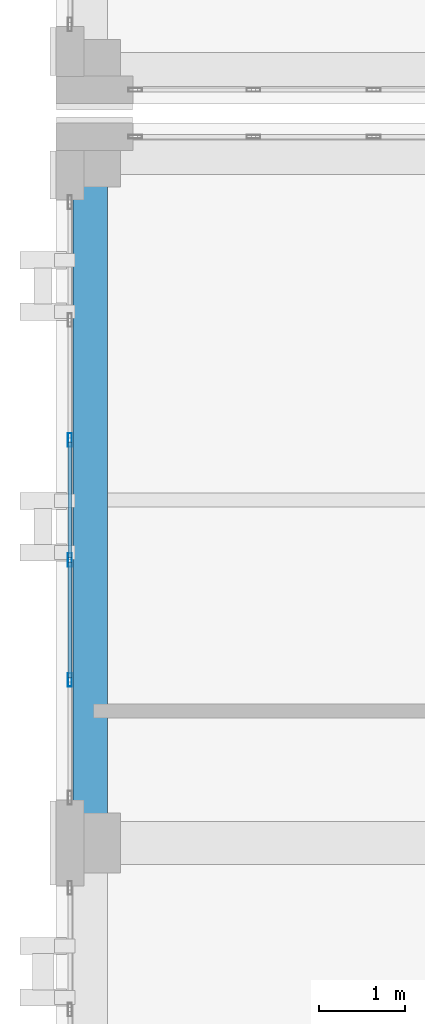
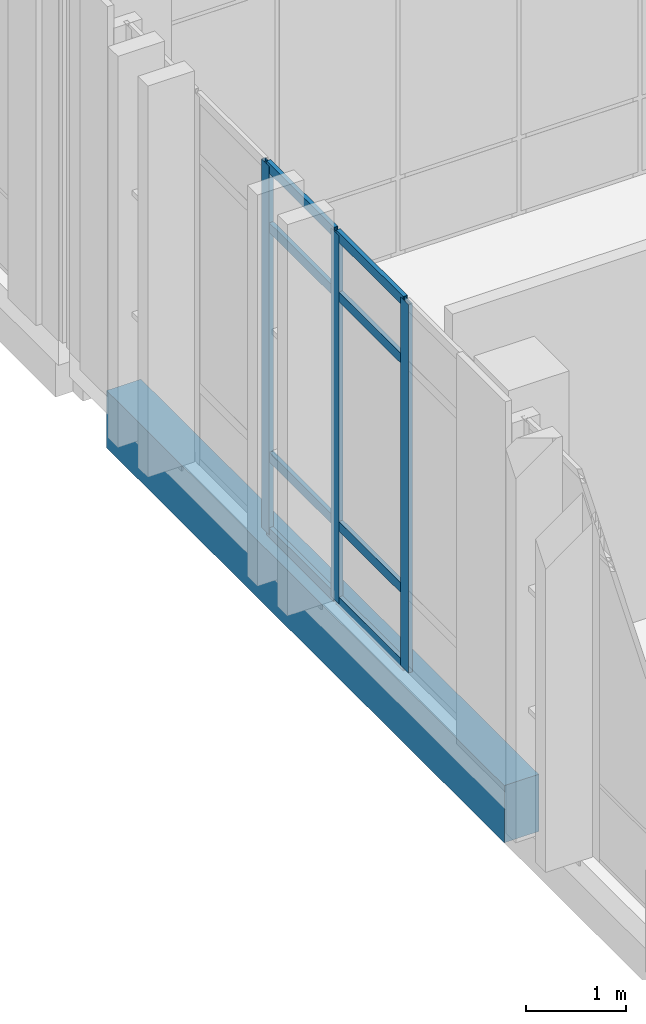
# One storey, part 77 of 189: 11 members, 1 beam, 1 element without a shape of its own.
"""IFC4 building model written with IfcOpenShell, lengths in metres."""

from ifc_helpers import new_model, si_unit, direction, frame, origin, origin_2d, place, context, subcontext, project, spatial, rectangle, hollow_rectangle, extrude, material, layer, layer_set, material_profile, profile_set, type_object, element, aggregate, save


model = new_model("IFC4")

# Units and contexts
model_context = context("Model", 3, precision=1e-05, world=origin(), true_north=direction((0.0, 1.0)))
body_context = subcontext(model_context, "Body", "Model", "MODEL_VIEW")
ifc_project = project(units=[si_unit("LENGTHUNIT", "METRE"), si_unit("AREAUNIT", "SQUARE_METRE"), si_unit("VOLUMEUNIT", "CUBIC_METRE"), si_unit("PLANEANGLEUNIT", "RADIAN"), si_unit("MASSUNIT", "GRAM", prefix="KILO")], contexts=[model_context])

# Site, building, storey
site_placement = place(None, origin())
site = spatial("IfcSite", under=ifc_project, at=site_placement, CompositionType="ELEMENT")
building_placement = place(site_placement, origin())
building = spatial("IfcBuilding", under=site, at=building_placement, Name="Qalavern Law Courts", CompositionType="ELEMENT")
storey_placement = place(building_placement, frame((0.0, 0.0, 5.39990234375)))
storey = spatial("IfcBuildingStorey", under=building, at=storey_placement, Name="L01", CompositionType="ELEMENT", Elevation=5.39990234375)

# Curtain wall, members
ifc_material_1 = material(Name="Anodised aluminium and insulated glazing", Category="aluminium")
ifc_layer = layer(ifc_material_1, 0.172119140625)
ifc_layer_set = layer_set([ifc_layer], Name="Anodised aluminium and insulated glazing")
curtain_wall_type = type_object("IfcCurtainWallType", Name="ENV-CW-COURT", PredefinedType="USERDEFINED", material=ifc_layer_set)
curtain_wall_placement = place(storey_placement, origin())
curtain_wall = element("IfcCurtainWall", 1, at=curtain_wall_placement, inside=storey, type_object=curtain_wall_type, Name="V3 unitised curtain wall L01 west 1", ObjectType="UNITISED CURTAIN WALL", PredefinedType="USERDEFINED")
ifc_material_2 = material(Name="Anodised aluminium", Category="aluminium")
ifc_material_profile_1 = material_profile(ifc_material_2, hollow_rectangle(XDim=0.048095703125, YDim=0.159912109375, WallThickness=0.00390625, at=origin_2d()), Name="ALU MULLION 48x160")
ifc_profile_set_1 = profile_set([ifc_material_profile_1], Name="Anodised aluminium")
member_type_1 = type_object("IfcMemberType", Name="ENV-CWM-48x160", PredefinedType="MULLION", material=ifc_profile_set_1)
member_1_placement = place(storey_placement, frame((2.16259765625, 92.2880859375, 0.0), z_axis=(0.0, 0.0, 1.0), x_axis=(1.0, 0.0, 0.0)))
member_1 = element("IfcMember", 2, at=member_1_placement, type_object=member_type_1, Name="CW-03 mullion 3", PredefinedType="MULLION", context=body_context, shape_type="SweptSolid", body=[
    extrude(hollow_rectangle(XDim=0.048095703125, YDim=0.159912109375, WallThickness=0.00390625, at=origin_2d()), origin(), (0.0, 0.0, 1.0), 4.510009765625),
])
member_2_placement = place(storey_placement, frame((2.16259765625, 90.89208984375, 0.0), z_axis=(0.0, 0.0, 1.0), x_axis=(1.0, 0.0, 0.0)))
member_2 = element("IfcMember", 3, at=member_2_placement, type_object=member_type_1, Name="CW-03 mullion 4", PredefinedType="MULLION", context=body_context, shape_type="SweptSolid", body=[
    extrude(hollow_rectangle(XDim=0.048095703125, YDim=0.159912109375, WallThickness=0.00390625, at=origin_2d()), origin(), (0.0, 0.0, 1.0), 4.510009765625),
])
member_3_placement = place(storey_placement, frame((2.16259765625, 89.49609375, 0.0), z_axis=(0.0, 0.0, 1.0), x_axis=(1.0, 0.0, 0.0)))
member_3 = element("IfcMember", 4, at=member_3_placement, type_object=member_type_1, Name="CW-03 mullion 5", PredefinedType="MULLION", context=body_context, shape_type="SweptSolid", body=[
    extrude(hollow_rectangle(XDim=0.048095703125, YDim=0.159912109375, WallThickness=0.00390625, at=origin_2d()), origin(), (0.0, 0.0, 1.0), 4.510009765625),
])
ifc_material_profile_2 = material_profile(ifc_material_2, hollow_rectangle(XDim=0.048095703125, YDim=0.1201171875, WallThickness=0.00390625, at=origin_2d()), Name="ALU TRANSOM 48x120")
ifc_profile_set_2 = profile_set([ifc_material_profile_2], Name="Anodised aluminium")
member_type_2 = type_object("IfcMemberType", Name="ENV-CWT-48x120", PredefinedType="USERDEFINED", material=ifc_profile_set_2)
member_4_placement = place(storey_placement, frame((2.16259765625, 92.263916015625, 0.024169921875), z_axis=(0.0, -1.0, 0.0), x_axis=(1.0, 0.0, 0.0)))
member_4 = element("IfcMember", 5, at=member_4_placement, type_object=member_type_2, Name="CW-03 transom 3.1", ObjectType="TRANSOM", PredefinedType="USERDEFINED", context=body_context, shape_type="SweptSolid", body=[
    extrude(hollow_rectangle(XDim=0.048095703125, YDim=0.1201171875, WallThickness=0.00390625, at=origin_2d()), origin(), (0.0, 0.0, 1.0), 1.347900390625),
])
member_5_placement = place(storey_placement, frame((2.16259765625, 92.263916015625, 0.9501953125), z_axis=(0.0, -1.0, 0.0), x_axis=(1.0, 0.0, 0.0)))
member_5 = element("IfcMember", 6, at=member_5_placement, type_object=member_type_2, Name="CW-03 transom 3.2", ObjectType="TRANSOM", PredefinedType="USERDEFINED", context=body_context, shape_type="SweptSolid", body=[
    extrude(hollow_rectangle(XDim=0.048095703125, YDim=0.1201171875, WallThickness=0.00390625, at=origin_2d()), origin(), (0.0, 0.0, 1.0), 1.347900390625),
])
member_6_placement = place(storey_placement, frame((2.16259765625, 92.263916015625, 3.760009765625), z_axis=(0.0, -1.0, 0.0), x_axis=(1.0, 0.0, 0.0)))
member_6 = element("IfcMember", 7, at=member_6_placement, type_object=member_type_2, Name="CW-03 transom 3.3", ObjectType="TRANSOM", PredefinedType="USERDEFINED", context=body_context, shape_type="SweptSolid", body=[
    extrude(hollow_rectangle(XDim=0.048095703125, YDim=0.1201171875, WallThickness=0.00390625, at=origin_2d()), origin(), (0.0, 0.0, 1.0), 1.347900390625),
])
member_7_placement = place(storey_placement, frame((2.16259765625, 92.263916015625, 4.486083984375), z_axis=(0.0, -1.0, 0.0), x_axis=(1.0, 0.0, 0.0)))
member_7 = element("IfcMember", 8, at=member_7_placement, type_object=member_type_2, Name="CW-03 transom 3.4", ObjectType="TRANSOM", PredefinedType="USERDEFINED", context=body_context, shape_type="SweptSolid", body=[
    extrude(hollow_rectangle(XDim=0.048095703125, YDim=0.1201171875, WallThickness=0.00390625, at=origin_2d()), origin(), (0.0, 0.0, 1.0), 1.347900390625),
])
member_8_placement = place(storey_placement, frame((2.16259765625, 90.867919921875, 0.024169921875), z_axis=(0.0, -1.0, 0.0), x_axis=(1.0, 0.0, 0.0)))
member_8 = element("IfcMember", 9, at=member_8_placement, type_object=member_type_2, Name="CW-03 transom 4.1", ObjectType="TRANSOM", PredefinedType="USERDEFINED", context=body_context, shape_type="SweptSolid", body=[
    extrude(hollow_rectangle(XDim=0.048095703125, YDim=0.1201171875, WallThickness=0.00390625, at=origin_2d()), origin(), (0.0, 0.0, 1.0), 1.347900390625),
])
member_9_placement = place(storey_placement, frame((2.16259765625, 90.867919921875, 0.9501953125), z_axis=(0.0, -1.0, 0.0), x_axis=(1.0, 0.0, 0.0)))
member_9 = element("IfcMember", 10, at=member_9_placement, type_object=member_type_2, Name="CW-03 transom 4.2", ObjectType="TRANSOM", PredefinedType="USERDEFINED", context=body_context, shape_type="SweptSolid", body=[
    extrude(hollow_rectangle(XDim=0.048095703125, YDim=0.1201171875, WallThickness=0.00390625, at=origin_2d()), origin(), (0.0, 0.0, 1.0), 1.347900390625),
])
member_10_placement = place(storey_placement, frame((2.16259765625, 90.867919921875, 3.760009765625), z_axis=(0.0, -1.0, 0.0), x_axis=(1.0, 0.0, 0.0)))
member_10 = element("IfcMember", 11, at=member_10_placement, type_object=member_type_2, Name="CW-03 transom 4.3", ObjectType="TRANSOM", PredefinedType="USERDEFINED", context=body_context, shape_type="SweptSolid", body=[
    extrude(hollow_rectangle(XDim=0.048095703125, YDim=0.1201171875, WallThickness=0.00390625, at=origin_2d()), origin(), (0.0, 0.0, 1.0), 1.347900390625),
])
member_11_placement = place(storey_placement, frame((2.16259765625, 90.867919921875, 4.486083984375), z_axis=(0.0, -1.0, 0.0), x_axis=(1.0, 0.0, 0.0)))
member_11 = element("IfcMember", 12, at=member_11_placement, type_object=member_type_2, Name="CW-03 transom 4.4", ObjectType="TRANSOM", PredefinedType="USERDEFINED", context=body_context, shape_type="SweptSolid", body=[
    extrude(hollow_rectangle(XDim=0.048095703125, YDim=0.1201171875, WallThickness=0.00390625, at=origin_2d()), origin(), (0.0, 0.0, 1.0), 1.347900390625),
])
aggregate(curtain_wall, [member_1, member_2, member_3, member_4, member_5, member_6, member_7, member_8, member_9, member_10, member_11])

# Beam
ifc_material_3 = material(Name="Concrete C40/50", Category="concrete")
ifc_material_profile_3 = material_profile(ifc_material_3, rectangle(XDim=0.39990234375, YDim=0.699951171875, at=origin_2d()), Name="RC 400x700")
ifc_profile_set_3 = profile_set([ifc_material_profile_3], Name="Concrete C40/50")
beam_type = type_object("IfcBeamType", Name="STR-SP-RC400x700", PredefinedType="SPANDREL", material=ifc_profile_set_3)
beam_placement = place(storey_placement, frame((2.39990234375, 87.60009765625, -0.64990234375), z_axis=(0.0, 1.0, 0.0), x_axis=(-1.0, 0.0, 0.0)))
element("IfcBeam", 13, at=beam_placement, inside=storey, type_object=beam_type, Name="V3 Y-beam 1-7 L01", PredefinedType="SPANDREL", context=body_context, shape_type="SweptSolid", body=[
    extrude(rectangle(XDim=0.39990234375, YDim=0.699951171875, at=origin_2d()), origin(), (0.0, 0.0, 1.0), 7.97998046875),
])

save(model, "model.ifc")
